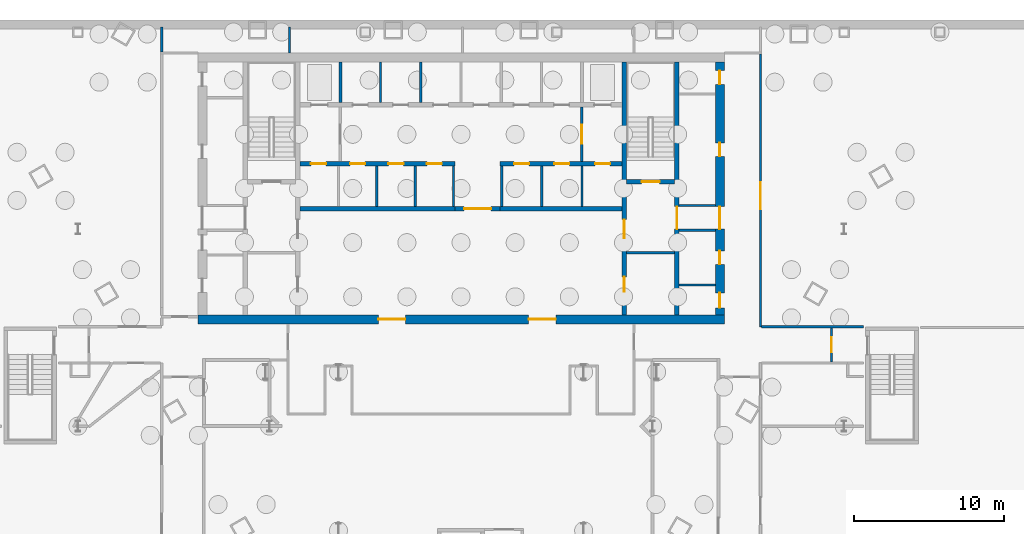
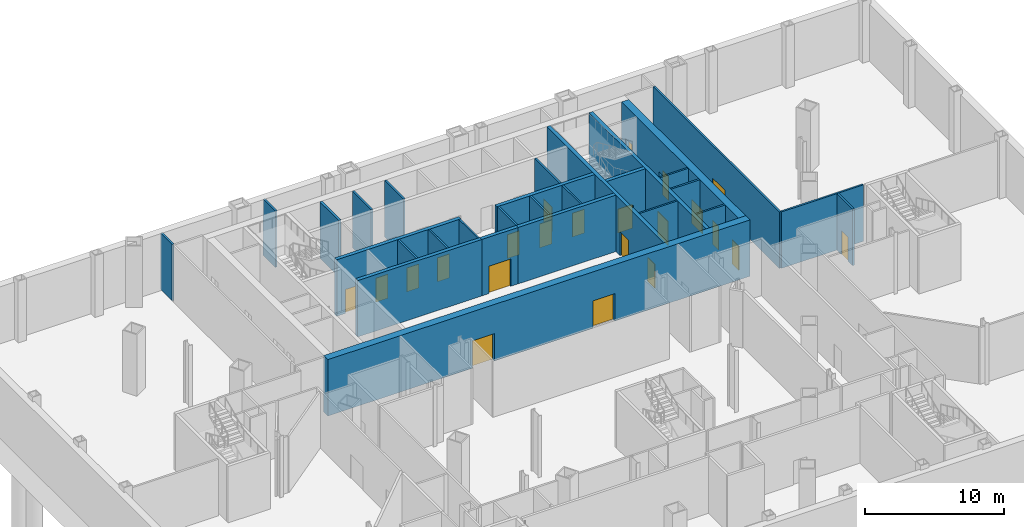
# One storey, part 10 of 19: 29 walls, 22 doors, 22 openings.
"""IFC4 building model written with IfcOpenShell, lengths in metres."""

import ifcopenshell
import ifcopenshell.guid

model = None  # the IFC model being written
_history = None  # IfcOwnerHistory: only IFC2X3 demands one
_inside = {}  # id of a spatial element -> (the spatial element, [elements in it])
_under = {}  # id of a project, library or spatial element -> (it, [spatial elements below it])
_declared = {}  # id of a project -> (the project, [libraries it declares])
_typed = {}  # id of a type object -> (the type object, [elements of that type])
_made_of = {}  # id of a material, layer set ... -> (it, [elements and type objects made of it])


def new_model(schema):
    """Start an empty IFC model of exactly this schema.

    Asked for "IFC4X3", IfcOpenShell would pick the latest addendum, in which some entities
    have other attributes; the version numbers below select the first issue.
    IFC2X3 requires an IfcOwnerHistory on every rooted entity: one is made here for all.
    """
    global model, _history
    if schema == "IFC4X3":
        model = ifcopenshell.file(schema_version=(4, 3, 0, 0))
    else:
        model = ifcopenshell.file(schema=schema)
    _inside.clear()
    _under.clear()
    _declared.clear()
    _typed.clear()
    _made_of.clear()
    _history = None
    if model.schema == "IFC2X3":
        org = make("IfcOrganization", Name="unknown")
        user = make(
            "IfcPersonAndOrganization",
            ThePerson=make("IfcPerson", FamilyName="unknown"),
            TheOrganization=org,
        )
        app = make(
            "IfcApplication",
            ApplicationDeveloper=org,
            Version="unknown",
            ApplicationFullName="unknown",
            ApplicationIdentifier="unknown",
        )
        _history = make(
            "IfcOwnerHistory",
            OwningUser=user,
            OwningApplication=app,
            ChangeAction="ADDED",
            CreationDate=0,
        )
    return model


def make(cls, **values):
    """One entity of the class cls with the attributes given. An attribute that is None is left unset."""
    return model.create_entity(
        cls, **{name: value for name, value in values.items() if value is not None}
    )


def rooted(cls, **values):
    """An entity with a GlobalId (a new one), such as an element, a storey or a relation."""
    return make(cls, GlobalId=ifcopenshell.guid.new(), OwnerHistory=_history, **values)


def si_unit(unit_type, name, prefix=None):
    """IfcSIUnit, for example si_unit("LENGTHUNIT", "METRE", prefix="MILLI")."""
    return make("IfcSIUnit", UnitType=unit_type, Prefix=prefix, Name=name)


def assignment(units):
    """IfcUnitAssignment: the units of a project."""
    return None if units is None else make("IfcUnitAssignment", Units=units)


def point(xyz):
    """IfcCartesianPoint."""
    return None if xyz is None else make("IfcCartesianPoint", Coordinates=xyz)


def direction(xyz):
    """IfcDirection."""
    return None if xyz is None else make("IfcDirection", DirectionRatios=xyz)


def frame(location, z_axis=None, x_axis=None):
    """IfcAxis2Placement3D, a coordinate frame: its origin and axes. An axis left out is left unset."""
    return make(
        "IfcAxis2Placement3D",
        Location=point(location),
        Axis=direction(z_axis),
        RefDirection=direction(x_axis),
    )


def frame_2d(location, x_axis=None):
    """IfcAxis2Placement2D, a coordinate frame in the plane: its origin and x axis."""
    return make(
        "IfcAxis2Placement2D", Location=point(location), RefDirection=direction(x_axis)
    )


def origin():
    """The frame at (0, 0, 0) with its axes left unset."""
    return frame((0.0, 0.0, 0.0))


def place(relative_to, where):
    """IfcLocalPlacement: puts the frame where relative to a parent placement (None: the world)."""
    return make(
        "IfcLocalPlacement", PlacementRelTo=relative_to, RelativePlacement=where
    )


def context(
    kind, dimensions, precision=None, world=None, true_north=None, identifier=None
):
    """IfcGeometricRepresentationContext, for example the 3D "Model" context."""
    return make(
        "IfcGeometricRepresentationContext",
        ContextIdentifier=identifier,
        ContextType=kind,
        CoordinateSpaceDimension=dimensions,
        Precision=precision,
        WorldCoordinateSystem=world,
        TrueNorth=true_north,
    )


def subcontext(parent, identifier, kind, view, scale=None):
    """IfcGeometricRepresentationSubContext, for example "Body" below "Model"."""
    return make(
        "IfcGeometricRepresentationSubContext",
        ContextIdentifier=identifier,
        ContextType=kind,
        ParentContext=parent,
        TargetScale=scale,
        TargetView=view,
    )


def project(units=None, contexts=None):
    """IfcProject with its units and contexts."""
    return rooted(
        "IfcProject",
        Name="project",
        RepresentationContexts=contexts,
        UnitsInContext=assignment(units),
    )


def spatial(cls, under=None, at=None, **own):
    """A site, building, storey or space (cls), placed at a placement, below another one or the project."""
    s = rooted(cls, ObjectPlacement=at, **own)
    if under is not None:
        _under.setdefault(under.id(), (under, []))[1].append(s)
    return s


def profile(cls, at=None, kind="AREA", **sizes):
    """A parametric profile (cls). Its sizes go by their IFC names, for example OverallWidth=200.0."""
    return make(cls, ProfileType=kind, Position=at, **sizes)


def rectangle(**sizes):
    """IfcRectangleProfileDef."""
    return profile("IfcRectangleProfileDef", **sizes)


def extrude(swept, where, along, depth):
    """IfcExtrudedAreaSolid: the profile swept, set in the frame where, extruded along a direction by depth."""
    return make(
        "IfcExtrudedAreaSolid",
        SweptArea=swept,
        Position=where,
        ExtrudedDirection=direction(along),
        Depth=depth,
    )


def shape(context_of_items, identifier, shape_type, items):
    """IfcShapeRepresentation: the items that make up one representation, for example the "Body"."""
    return make(
        "IfcShapeRepresentation",
        ContextOfItems=context_of_items,
        RepresentationIdentifier=identifier,
        RepresentationType=shape_type,
        Items=items,
    )


def material(Name=None, Category=None):
    """IfcMaterial."""
    return make("IfcMaterial", Name=Name, Category=Category)


def layer(
    of_material, thickness, ventilated=None, Name=None, Category=None, Priority=None
):
    """IfcMaterialLayer: one layer of a wall or slab, of a material (None: an air gap)."""
    return make(
        "IfcMaterialLayer",
        Material=of_material,
        LayerThickness=thickness,
        IsVentilated=ventilated,
        Name=Name,
        Category=Category,
        Priority=Priority,
    )


def layer_set(layers, Name=None):
    """IfcMaterialLayerSet."""
    return make("IfcMaterialLayerSet", MaterialLayers=layers, LayerSetName=Name)


def made_of(thing, what):
    """Note that an element or type object is made of a material, layer set ...; save() writes the relation."""
    if what is not None:
        _made_of.setdefault(what.id(), (what, []))[1].append(thing)
    return thing


def type_object(cls, material=None, **own):
    """A type object (cls), such as IfcWallType, which elements share."""
    return made_of(rooted(cls, **own), material)


def element(
    cls,
    number,
    at=None,
    inside=None,
    cuts=None,
    type_object=None,
    material=None,
    context=None,
    identifier="Body",
    shape_type=None,
    held_by="IfcProductDefinitionShape",
    body=None,
    shapes=None,
    **own,
):
    """One element of the class cls, such as IfcWall. Its Tag is "e" and its number.

    at: its placement. inside: the storey or other place that contains it. cuts: it is an
    opening in that element (IfcRelVoidsElement). A single representation is given by context,
    identifier, shape_type and body (its items); several are given by shapes. held_by: the class
    of the entity that holds the representations. save() writes the other relations.
    """
    e = rooted(cls, Tag="e%d" % number, ObjectPlacement=at, **own)
    if body is not None:
        shapes = [shape(context, identifier, shape_type, body)]
    if shapes is not None:
        e.Representation = make(held_by, Representations=shapes)
    if inside is not None:
        _inside.setdefault(inside.id(), (inside, []))[1].append(e)
    if cuts is not None:
        rooted(
            "IfcRelVoidsElement", RelatingBuildingElement=cuts, RelatedOpeningElement=e
        )
    if type_object is not None:
        _typed.setdefault(type_object.id(), (type_object, []))[1].append(e)
    return made_of(e, material)


def fill(opening, filler):
    """IfcRelFillsElement: the door or window that sits in an opening."""
    return rooted(
        "IfcRelFillsElement",
        RelatingOpeningElement=opening,
        RelatedBuildingElement=filler,
    )


def aggregate(whole, parts):
    """IfcRelAggregates: a whole, such as a stair, and the parts it consists of."""
    return rooted("IfcRelAggregates", RelatingObject=whole, RelatedObjects=parts)


def save(model, path):
    """Write the relations noted so far, then the file.

    IfcRelAggregates (storeys below a building ...), IfcRelContainedInSpatialStructure (elements
    in a storey), IfcRelDefinesByType, IfcRelAssociatesMaterial and IfcRelDeclares: one each for
    every whole, place, type object, material and project.
    """
    for whole, parts in _under.values():
        aggregate(whole, parts)
    for where, things in _inside.values():
        rooted(
            "IfcRelContainedInSpatialStructure",
            RelatedElements=things,
            RelatingStructure=where,
        )
    for kind, things in _typed.values():
        rooted("IfcRelDefinesByType", RelatedObjects=things, RelatingType=kind)
    for what, things in _made_of.values():
        rooted("IfcRelAssociatesMaterial", RelatedObjects=things, RelatingMaterial=what)
    for by, libraries in _declared.values():
        rooted("IfcRelDeclares", RelatingContext=by, RelatedDefinitions=libraries)
    model.write(path)


model = new_model("IFC4")

# Units and contexts
model_context = context("Model", 3, precision=1e-05, world=origin(), true_north=direction((0.0, 1.0)))
body_context = subcontext(model_context, "Body", "Model", "MODEL_VIEW")
ifc_project = project(units=[si_unit("LENGTHUNIT", "METRE"), si_unit("AREAUNIT", "SQUARE_METRE"), si_unit("VOLUMEUNIT", "CUBIC_METRE"), si_unit("PLANEANGLEUNIT", "RADIAN"), si_unit("MASSUNIT", "GRAM", prefix="KILO")], contexts=[model_context])

# Site, building, storey
site_placement = place(None, origin())
site = spatial("IfcSite", under=ifc_project, at=site_placement, CompositionType="ELEMENT")
building_placement = place(site_placement, origin())
building = spatial("IfcBuilding", under=site, at=building_placement, Name="Njiva Tower", CompositionType="ELEMENT")
storey_placement = place(building_placement, frame((0.0, 0.0, -16.8)))
storey = spatial("IfcBuildingStorey", under=building, at=storey_placement, Name="B3", CompositionType="ELEMENT", Elevation=-16.8)

# Walls
ifc_material_1 = material(Name="Blockwork", Category="masonry")
ifc_layer_1 = layer(ifc_material_1, 0.15)
ifc_layer_set_1 = layer_set([ifc_layer_1], Name="Blockwork")
wall_type_1 = type_object("IfcWallType", Name="WT1 Compartment partition 150", PredefinedType="PARTITIONING", material=ifc_layer_set_1)
for number, where, z_axis, x_axis, name in (
    (1, (-5.35, 14.7, 0.0), (0.0, 0.0, 1.0), (0.0, 1.0, 0.0), "Partition CN2"),
    (2, (-2.675, 14.7, 0.0), (0.0, 0.0, 1.0), (0.0, 1.0, 0.0), "Partition CN3"),
    (3, (-5.6, 7.8, 0.0), (0.0, 0.0, 1.0), (0.0, 1.0, 0.0), "Partition CS2"),
    (4, (-3.05, 7.8, 0.0), (0.0, 0.0, 1.0), (0.0, 1.0, 0.0), "Partition CS3"),
    (5, (-0.5, 7.8, 0.0), (0.0, 0.0, 1.0), (0.0, 1.0, 0.0), "Partition CS4"),
    (6, (2.7, 7.8, 0.0), (0.0, 0.0, 1.0), (0.0, 1.0, 0.0), "Partition CS5"),
    (7, (5.3667, 7.8, 0.0), (0.0, 0.0, 1.0), (0.0, 1.0, 0.0), "Partition CS6"),
    (8, (8.0333, 7.8, 0.0), (0.0, 0.0, 1.0), (0.0, 1.0, 0.0), "Partition CS7"),
):
    element("IfcWall", number, at=place(storey_placement, frame(where, z_axis=z_axis, x_axis=x_axis)), inside=storey, type_object=wall_type_1, Name=name, PredefinedType="PARTITIONING", context=body_context, shape_type="SweptSolid", body=[
        extrude(rectangle(XDim=2.7, YDim=0.15, at=frame_2d((1.35, 0.0))), origin(), (0.0, 0.0, 1.0), 4.95),
    ])
wall_1_placement = place(storey_placement, frame((11.0, 4.725, 0.0), z_axis=(0.0, 0.0, 1.0), x_axis=(1.0, 0.0, 0.0)))
element("IfcWall", 9, at=wall_1_placement, inside=storey, type_object=wall_type_1, Name="Room wall B", PredefinedType="PARTITIONING", context=body_context, shape_type="SweptSolid", body=[
    extrude(rectangle(XDim=3.2, YDim=0.15, at=frame_2d((1.6, 0.0))), origin(), (0.0, 0.0, 1.0), 4.95),
])
wall_2_placement = place(storey_placement, frame((14.5, 2.5835, 0.0), z_axis=(0.0, 0.0, 1.0), x_axis=(1.0, 0.0, 0.0)))
element("IfcWall", 10, at=wall_2_placement, inside=storey, type_object=wall_type_1, Name="Partition strip E00", PredefinedType="PARTITIONING", context=body_context, shape_type="SweptSolid", body=[
    extrude(rectangle(XDim=2.4, YDim=0.15, at=frame_2d((1.2, 0.0))), origin(), (0.0, 0.0, 1.0), 4.95),
])

# Wall, openings, doors
ifc_material_2 = material(Name="Concrete C40/50", Category="concrete")
ifc_layer_2 = layer(ifc_material_2, 0.3)
ifc_layer_set_2 = layer_set([ifc_layer_2], Name="Concrete C40/50")
wall_type_2 = type_object("IfcWallType", Name="WT10 Stair enclosure wall 300", PredefinedType="SHEAR", material=ifc_layer_set_2)
wall_3_placement = place(storey_placement, frame((10.85, 0.6, 0.0), z_axis=(0.0, 0.0, 1.0), x_axis=(0.0, 1.0, 0.0)))
wall_3 = element("IfcWall", 11, at=wall_3_placement, inside=storey, type_object=wall_type_2, Name="Stair wall east inner", PredefinedType="SHEAR", context=body_context, shape_type="SweptSolid", body=[
    extrude(rectangle(XDim=16.8, YDim=0.3, at=frame_2d((8.4, 0.0))), origin(), (0.0, 0.0, 1.0), 4.95),
])
opening_1_placement = place(wall_3_placement, frame((5.075, 0.0, 0.0)))
opening_1 = element("IfcOpeningElement", 12, at=opening_1_placement, cuts=wall_3, Name="Opening B3-D922", PredefinedType="OPENING", context=body_context, shape_type="SweptSolid", body=[
    extrude(rectangle(XDim=1.25, YDim=2.1, at=frame_2d((0.625, 1.05))), frame((0.0, 0.16, 0.0), z_axis=(0.0, -1.0, 0.0), x_axis=(1.0, 0.0, 0.0)), (0.0, 0.0, 1.0), 0.32),
])
opening_2_placement = place(wall_3_placement, frame((1.525, 0.0, 0.0)))
opening_2 = element("IfcOpeningElement", 13, at=opening_2_placement, cuts=wall_3, Name="Opening B3-D923", PredefinedType="OPENING", context=body_context, shape_type="SweptSolid", body=[
    extrude(rectangle(XDim=1.0, YDim=2.1, at=frame_2d((0.5, 1.05))), frame((0.0, 0.16, 0.0), z_axis=(0.0, -1.0, 0.0), x_axis=(1.0, 0.0, 0.0)), (0.0, 0.0, 1.0), 0.32),
])
ifc_material_3 = material(Name="Steel door, painted", Category="steel")
door_type_1 = type_object("IfcDoorType", Name="D5 Steel door 1000x2100", OperationType="SINGLE_SWING_LEFT", PredefinedType="DOOR", material=ifc_material_3)
door_1_placement = place(opening_2_placement, origin())
door_1 = element("IfcDoor", 14, at=door_1_placement, inside=storey, type_object=door_type_1, Name="Telecoms room door", OperationType="SINGLE_SWING_LEFT", OverallHeight=2.1, OverallWidth=1.0, PredefinedType="DOOR", context=body_context, shape_type="SweptSolid", body=[
    extrude(rectangle(XDim=1.0, YDim=2.1, at=frame_2d((0.5, 1.05))), frame((0.0, 0.025, 0.0), z_axis=(0.0, -1.0, 0.0), x_axis=(1.0, 0.0, 0.0)), (0.0, 0.0, 1.0), 0.05),
])
fill(opening_2, door_1)
ifc_material_4 = material(Name="Glazed steel fire door", Category="steel")
door_type_2 = type_object("IfcDoorType", Name="D8 Vestibule corridor door 1250x2100 glazed", OperationType="SINGLE_SWING_LEFT", PredefinedType="DOOR", material=ifc_material_4)
door_2_placement = place(opening_1_placement, origin())
door_2 = element("IfcDoor", 15, at=door_2_placement, inside=storey, type_object=door_type_2, Name="Stair vestibule corridor door", OperationType="SINGLE_SWING_RIGHT", OverallHeight=2.1, OverallWidth=1.25, PredefinedType="DOOR", context=body_context, shape_type="SweptSolid", body=[
    extrude(rectangle(XDim=1.25, YDim=2.1, at=frame_2d((0.625, 1.05))), frame((0.0, 0.025, 0.0), z_axis=(0.0, -1.0, 0.0), x_axis=(1.0, 0.0, 0.0)), (0.0, 0.0, 1.0), 0.05),
])
fill(opening_1, door_2)

# Wall, opening, door
wall_4_placement = place(storey_placement, frame((14.35, 0.6, 0.0), z_axis=(0.0, 0.0, 1.0), x_axis=(0.0, 1.0, 0.0)))
wall_4 = element("IfcWall", 16, at=wall_4_placement, inside=storey, type_object=wall_type_2, Name="Stair wall east outer", PredefinedType="SHEAR", context=body_context, shape_type="SweptSolid", body=[
    extrude(rectangle(XDim=16.8, YDim=0.3, at=frame_2d((8.4, 0.0))), origin(), (0.0, 0.0, 1.0), 4.95),
])
opening_3_placement = place(wall_4_placement, frame((5.7, 0.0, 0.0)))
opening_3 = element("IfcOpeningElement", 17, at=opening_3_placement, cuts=wall_4, Name="Opening B3-D930", PredefinedType="OPENING", context=body_context, shape_type="SweptSolid", body=[
    extrude(rectangle(XDim=1.5, YDim=2.1, at=frame_2d((0.75, 1.05))), frame((0.0, 0.16, 0.0), z_axis=(0.0, -1.0, 0.0), x_axis=(1.0, 0.0, 0.0)), (0.0, 0.0, 1.0), 0.32),
])
door_type_3 = type_object("IfcDoorType", Name="D10 Exit door double 1500x2100 glazed", OperationType="DOUBLE_DOOR_SINGLE_SWING", PredefinedType="DOOR", material=ifc_material_4)
door_3_placement = place(opening_3_placement, origin())
door_3 = element("IfcDoor", 18, at=door_3_placement, inside=storey, type_object=door_type_3, Name="Stair B passage door", OperationType="DOUBLE_DOOR_SINGLE_SWING", OverallHeight=2.1, OverallWidth=1.5, PredefinedType="DOOR", context=body_context, shape_type="SweptSolid", body=[
    extrude(rectangle(XDim=1.5, YDim=2.1, at=frame_2d((0.75, 1.05))), frame((0.0, 0.025, 0.0), z_axis=(0.0, -1.0, 0.0), x_axis=(1.0, 0.0, 0.0)), (0.0, 0.0, 1.0), 0.05),
])
fill(opening_3, door_3)

wall_5_placement = place(storey_placement, frame((11.0, 9.45, 0.0), z_axis=(0.0, 0.0, 1.0), x_axis=(1.0, 0.0, 0.0)))
wall_5 = element("IfcWall", 19, at=wall_5_placement, inside=storey, type_object=wall_type_2, Name="Stair B south wall", PredefinedType="SHEAR", context=body_context, shape_type="SweptSolid", body=[
    extrude(rectangle(XDim=3.2, YDim=0.3, at=frame_2d((1.6, 0.0))), origin(), (0.0, 0.0, 1.0), 4.95),
])
opening_4_placement = place(wall_5_placement, frame((1.0, 0.0, 0.0)))
opening_4 = element("IfcOpeningElement", 20, at=opening_4_placement, cuts=wall_5, Name="Opening B3-D921", PredefinedType="OPENING", context=body_context, shape_type="SweptSolid", body=[
    extrude(rectangle(XDim=1.2, YDim=2.1, at=frame_2d((0.6, 1.05))), frame((0.0, 0.16, 0.0), z_axis=(0.0, -1.0, 0.0), x_axis=(1.0, 0.0, 0.0)), (0.0, 0.0, 1.0), 0.32),
])
door_type_4 = type_object("IfcDoorType", Name="D7 Stair vestibule door 1200x2100 glazed", OperationType="SINGLE_SWING_LEFT", PredefinedType="DOOR", material=ifc_material_4)
door_4_placement = place(opening_4_placement, origin())
door_4 = element("IfcDoor", 21, at=door_4_placement, inside=storey, type_object=door_type_4, Name="Stair B door", OperationType="SINGLE_SWING_LEFT", OverallHeight=2.1, OverallWidth=1.2, PredefinedType="DOOR", context=body_context, shape_type="SweptSolid", body=[
    extrude(rectangle(XDim=1.2, YDim=2.1, at=frame_2d((0.6, 1.05))), frame((0.0, 0.025, 0.0), z_axis=(0.0, -1.0, 0.0), x_axis=(1.0, 0.0, 0.0)), (0.0, 0.0, 1.0), 0.05),
])
fill(opening_4, door_4)

# Wall, openings, doors
ifc_material_5 = material(Name="Concrete C60/75", Category="concrete")
ifc_layer_3 = layer(ifc_material_5, 0.6)
ifc_layer_set_3 = layer_set([ifc_layer_3], Name="Concrete C60/75")
wall_type_3 = type_object("IfcWallType", Name="WT15 Core wall 600", PredefinedType="SHEAR", material=ifc_layer_set_3)
wall_6_placement = place(storey_placement, frame((-17.5, 0.3, 0.0), z_axis=(0.0, 0.0, 1.0), x_axis=(1.0, 0.0, 0.0)))
wall_6 = element("IfcWall", 22, at=wall_6_placement, inside=storey, type_object=wall_type_3, Name="Core wall south", PredefinedType="SHEAR", context=body_context, shape_type="SweptSolid", body=[
    extrude(rectangle(XDim=35.0, YDim=0.6, at=frame_2d((17.5, 0.0))), origin(), (0.0, 0.0, 1.0), 4.95),
])
opening_5_placement = place(wall_6_placement, frame((12.0, 0.0, 0.0)))
opening_5 = element("IfcOpeningElement", 23, at=opening_5_placement, cuts=wall_6, Name="Opening B3-D937", PredefinedType="OPENING", context=body_context, shape_type="SweptSolid", body=[
    extrude(rectangle(XDim=1.8, YDim=2.4, at=frame_2d((0.9, 1.2))), frame((0.0, 0.31, 0.0), z_axis=(0.0, -1.0, 0.0), x_axis=(1.0, 0.0, 0.0)), (0.0, 0.0, 1.0), 0.62),
])
opening_6_placement = place(wall_6_placement, frame((22.0, 0.0, 0.0)))
opening_6 = element("IfcOpeningElement", 24, at=opening_6_placement, cuts=wall_6, Name="Opening B3-D938", PredefinedType="OPENING", context=body_context, shape_type="SweptSolid", body=[
    extrude(rectangle(XDim=1.8, YDim=2.4, at=frame_2d((0.9, 1.2))), frame((0.0, 0.31, 0.0), z_axis=(0.0, -1.0, 0.0), x_axis=(1.0, 0.0, 0.0)), (0.0, 0.0, 1.0), 0.62),
])
ifc_material_6 = material(Name="Steel and glass door", Category="steel")
door_type_5 = type_object("IfcDoorType", Name="D3 Core entrance door 1800x2400", OperationType="DOUBLE_DOOR_SINGLE_SWING", PredefinedType="DOOR", material=ifc_material_6)
door_5_placement = place(opening_5_placement, origin())
door_5 = element("IfcDoor", 25, at=door_5_placement, inside=storey, type_object=door_type_5, Name="Core entrance door", OperationType="DOUBLE_DOOR_SINGLE_SWING", OverallHeight=2.4, OverallWidth=1.8, PredefinedType="DOOR", context=body_context, shape_type="SweptSolid", body=[
    extrude(rectangle(XDim=1.8, YDim=2.4, at=frame_2d((0.9, 1.2))), frame((0.0, 0.025, 0.0), z_axis=(0.0, -1.0, 0.0), x_axis=(1.0, 0.0, 0.0)), (0.0, 0.0, 1.0), 0.05),
])
fill(opening_5, door_5)
door_6_placement = place(opening_6_placement, origin())
door_6 = element("IfcDoor", 26, at=door_6_placement, inside=storey, type_object=door_type_5, Name="Core entrance door", OperationType="DOUBLE_DOOR_SINGLE_SWING", OverallHeight=2.4, OverallWidth=1.8, PredefinedType="DOOR", context=body_context, shape_type="SweptSolid", body=[
    extrude(rectangle(XDim=1.8, YDim=2.4, at=frame_2d((0.9, 1.2))), frame((0.0, 0.025, 0.0), z_axis=(0.0, -1.0, 0.0), x_axis=(1.0, 0.0, 0.0)), (0.0, 0.0, 1.0), 0.05),
])
fill(opening_6, door_6)

wall_7_placement = place(storey_placement, frame((17.2, 0.6, 0.0), z_axis=(0.0, 0.0, 1.0), x_axis=(0.0, 1.0, 0.0)))
wall_7 = element("IfcWall", 27, at=wall_7_placement, inside=storey, type_object=wall_type_3, Name="Core wall east", PredefinedType="SHEAR", context=body_context, shape_type="SweptSolid", body=[
    extrude(rectangle(XDim=16.8, YDim=0.6, at=frame_2d((8.4, 0.0))), origin(), (0.0, 0.0, 1.0), 4.95),
])
opening_7_placement = place(wall_7_placement, frame((5.7, 0.0, 0.0)))
opening_7 = element("IfcOpeningElement", 28, at=opening_7_placement, cuts=wall_7, Name="Opening B3-D931", PredefinedType="OPENING", context=body_context, shape_type="SweptSolid", body=[
    extrude(rectangle(XDim=1.5, YDim=2.1, at=frame_2d((0.75, 1.05))), frame((0.0, 0.31, 0.0), z_axis=(0.0, -1.0, 0.0), x_axis=(1.0, 0.0, 0.0)), (0.0, 0.0, 1.0), 0.62),
])
opening_8_placement = place(wall_7_placement, frame((0.4543, 0.0, 0.0)))
opening_8 = element("IfcOpeningElement", 29, at=opening_8_placement, cuts=wall_7, Name="Opening B3-D932", PredefinedType="OPENING", context=body_context, shape_type="SweptSolid", body=[
    extrude(rectangle(XDim=1.0, YDim=2.1, at=frame_2d((0.5, 1.05))), frame((0.0, 0.31, 0.0), z_axis=(0.0, -1.0, 0.0), x_axis=(1.0, 0.0, 0.0)), (0.0, 0.0, 1.0), 0.62),
])
opening_9_placement = place(wall_7_placement, frame((3.3543, 0.0, 0.0)))
opening_9 = element("IfcOpeningElement", 30, at=opening_9_placement, cuts=wall_7, Name="Opening B3-D933", PredefinedType="OPENING", context=body_context, shape_type="SweptSolid", body=[
    extrude(rectangle(XDim=0.9, YDim=2.1, at=frame_2d((0.45, 1.05))), frame((0.0, 0.31, 0.0), z_axis=(0.0, -1.0, 0.0), x_axis=(1.0, 0.0, 0.0)), (0.0, 0.0, 1.0), 0.62),
])
opening_10_placement = place(wall_7_placement, frame((10.5266, 0.0, 0.0)))
opening_10 = element("IfcOpeningElement", 31, at=opening_10_placement, cuts=wall_7, Name="Opening B3-D934", PredefinedType="OPENING", context=body_context, shape_type="SweptSolid", body=[
    extrude(rectangle(XDim=0.9, YDim=2.1, at=frame_2d((0.45, 1.05))), frame((0.0, 0.31, 0.0), z_axis=(0.0, -1.0, 0.0), x_axis=(1.0, 0.0, 0.0)), (0.0, 0.0, 1.0), 0.62),
])
opening_11_placement = place(wall_7_placement, frame((15.3266, 0.0, 0.0)))
opening_11 = element("IfcOpeningElement", 32, at=opening_11_placement, cuts=wall_7, Name="Opening B3-D935", PredefinedType="OPENING", context=body_context, shape_type="SweptSolid", body=[
    extrude(rectangle(XDim=0.9, YDim=2.1, at=frame_2d((0.45, 1.05))), frame((0.0, 0.31, 0.0), z_axis=(0.0, -1.0, 0.0), x_axis=(1.0, 0.0, 0.0)), (0.0, 0.0, 1.0), 0.62),
])
door_7_placement = place(opening_7_placement, origin())
door_7 = element("IfcDoor", 33, at=door_7_placement, inside=storey, type_object=door_type_3, Name="Stair B corridor door", OperationType="DOUBLE_DOOR_SINGLE_SWING", OverallHeight=2.1, OverallWidth=1.5, PredefinedType="DOOR", context=body_context, shape_type="SweptSolid", body=[
    extrude(rectangle(XDim=1.5, YDim=2.1, at=frame_2d((0.75, 1.05))), frame((0.0, 0.025, 0.0), z_axis=(0.0, -1.0, 0.0), x_axis=(1.0, 0.0, 0.0)), (0.0, 0.0, 1.0), 0.05),
])
fill(opening_7, door_7)
door_type_6 = type_object("IfcDoorType", Name="D4 Riser door 900x2100", OperationType="SINGLE_SWING_LEFT", PredefinedType="DOOR", material=ifc_material_3)
door_8_placement = place(opening_11_placement, origin())
door_8 = element("IfcDoor", 34, at=door_8_placement, inside=storey, type_object=door_type_6, Name="Riser door", OperationType="SINGLE_SWING_RIGHT", OverallHeight=2.1, OverallWidth=0.9, PredefinedType="DOOR", context=body_context, shape_type="SweptSolid", body=[
    extrude(rectangle(XDim=0.9, YDim=2.1, at=frame_2d((0.45, 1.05))), frame((0.0, 0.025, 0.0), z_axis=(0.0, -1.0, 0.0), x_axis=(1.0, 0.0, 0.0)), (0.0, 0.0, 1.0), 0.05),
])
fill(opening_11, door_8)
door_9_placement = place(opening_8_placement, origin())
door_9 = element("IfcDoor", 35, at=door_9_placement, inside=storey, type_object=door_type_1, Name="Telecoms room door", OperationType="SINGLE_SWING_RIGHT", OverallHeight=2.1, OverallWidth=1.0, PredefinedType="DOOR", context=body_context, shape_type="SweptSolid", body=[
    extrude(rectangle(XDim=1.0, YDim=2.1, at=frame_2d((0.5, 1.05))), frame((0.0, 0.025, 0.0), z_axis=(0.0, -1.0, 0.0), x_axis=(1.0, 0.0, 0.0)), (0.0, 0.0, 1.0), 0.05),
])
fill(opening_8, door_9)
ifc_material_7 = material(Name="Steel fire door, painted", Category="steel")
door_type_7 = type_object("IfcDoorType", Name="D6 Fire-rated door 900x2100", OperationType="SINGLE_SWING_LEFT", PredefinedType="DOOR", material=ifc_material_7)
door_10_placement = place(opening_9_placement, origin())
door_10 = element("IfcDoor", 36, at=door_10_placement, inside=storey, type_object=door_type_7, Name="Quiet room door", OperationType="SINGLE_SWING_RIGHT", OverallHeight=2.1, OverallWidth=0.9, PredefinedType="DOOR", context=body_context, shape_type="SweptSolid", body=[
    extrude(rectangle(XDim=0.9, YDim=2.1, at=frame_2d((0.45, 1.05))), frame((0.0, 0.025, 0.0), z_axis=(0.0, -1.0, 0.0), x_axis=(1.0, 0.0, 0.0)), (0.0, 0.0, 1.0), 0.05),
])
fill(opening_9, door_10)
door_11_placement = place(opening_10_placement, origin())
door_11 = element("IfcDoor", 37, at=door_11_placement, inside=storey, type_object=door_type_7, Name="Prayer room door", OperationType="SINGLE_SWING_LEFT", OverallHeight=2.1, OverallWidth=0.9, PredefinedType="DOOR", context=body_context, shape_type="SweptSolid", body=[
    extrude(rectangle(XDim=0.9, YDim=2.1, at=frame_2d((0.45, 1.05))), frame((0.0, 0.025, 0.0), z_axis=(0.0, -1.0, 0.0), x_axis=(1.0, 0.0, 0.0)), (0.0, 0.0, 1.0), 0.05),
])
fill(opening_10, door_11)

# Wall, opening, door
ifc_layer_4 = layer(ifc_material_1, 0.15)
ifc_layer_set_4 = layer_set([ifc_layer_4], Name="Blockwork")
wall_type_4 = type_object("IfcWallType", Name="WT2 Lobby partition 150", PredefinedType="PARTITIONING", material=ifc_layer_set_4)
wall_8_placement = place(storey_placement, frame((8.025, 10.8, 0.0), z_axis=(0.0, 0.0, 1.0), x_axis=(0.0, 1.0, 0.0)))
wall_8 = element("IfcWall", 38, at=wall_8_placement, inside=storey, type_object=wall_type_4, Name="Firefighting lobby wall B", PredefinedType="PARTITIONING", context=body_context, shape_type="SweptSolid", body=[
    extrude(rectangle(XDim=3.6, YDim=0.15, at=frame_2d((1.8, 0.0))), origin(), (0.0, 0.0, 1.0), 4.95),
])
opening_12_placement = place(wall_8_placement, frame((1.175, 0.0, 0.0)))
opening_12 = element("IfcOpeningElement", 39, at=opening_12_placement, cuts=wall_8, Name="Opening B3-D920", PredefinedType="OPENING", context=body_context, shape_type="SweptSolid", body=[
    extrude(rectangle(XDim=1.25, YDim=2.1, at=frame_2d((0.625, 1.05))), frame((0.0, 0.085, 0.0), z_axis=(0.0, -1.0, 0.0), x_axis=(1.0, 0.0, 0.0)), (0.0, 0.0, 1.0), 0.17),
])
door_12_placement = place(opening_12_placement, origin())
door_12 = element("IfcDoor", 40, at=door_12_placement, inside=storey, type_object=door_type_2, Name="Stair vestibule corridor door", OperationType="SINGLE_SWING_LEFT", OverallHeight=2.1, OverallWidth=1.25, PredefinedType="DOOR", context=body_context, shape_type="SweptSolid", body=[
    extrude(rectangle(XDim=1.25, YDim=2.1, at=frame_2d((0.625, 1.05))), frame((0.0, 0.025, 0.0), z_axis=(0.0, -1.0, 0.0), x_axis=(1.0, 0.0, 0.0)), (0.0, 0.0, 1.0), 0.05),
])
fill(opening_12, door_12)

ifc_material_8 = material(Name="Gypsum board on steel studs", Category="gypsum")
ifc_layer_5 = layer(ifc_material_8, 0.15)
ifc_layer_set_5 = layer_set([ifc_layer_5], Name="Gypsum board on steel studs")
wall_type_5 = type_object("IfcWallType", Name="WT21 Compartment wall 150", PredefinedType="PARTITIONING", material=ifc_layer_set_5)
wall_9_placement = place(storey_placement, frame((19.9, -0.197, 0.0), z_axis=(0.0, 0.0, 1.0), x_axis=(0.0, 1.0, 0.0)))
wall_9 = element("IfcWall", 41, at=wall_9_placement, inside=storey, type_object=wall_type_5, Name="Partition B3-P104", PredefinedType="PARTITIONING", context=body_context, shape_type="SweptSolid", body=[
    extrude(rectangle(XDim=18.122, YDim=0.15, at=frame_2d((9.061, 0.0))), origin(), (0.0, 0.0, 1.0), 4.95),
])
opening_13_placement = place(wall_9_placement, frame((7.811, 0.0, 0.0)))
opening_13 = element("IfcOpeningElement", 42, at=opening_13_placement, cuts=wall_9, Name="Opening B3-D032", PredefinedType="OPENING", context=body_context, shape_type="SweptSolid", body=[
    extrude(rectangle(XDim=1.8, YDim=2.1, at=frame_2d((0.9, 1.05))), frame((0.0, 0.085, 0.0), z_axis=(0.0, -1.0, 0.0), x_axis=(1.0, 0.0, 0.0)), (0.0, 0.0, 1.0), 0.17),
])
ifc_material_9 = material(Name="Steel fire door set", Category="steel")
door_type_8 = type_object("IfcDoorType", Name="D38 Fire door 1800x2100", OperationType="DOUBLE_DOOR_SINGLE_SWING", PredefinedType="DOOR", material=ifc_material_9)
door_13_placement = place(opening_13_placement, origin())
door_13 = element("IfcDoor", 43, at=door_13_placement, inside=storey, type_object=door_type_8, Name="Door B3-D032", OperationType="DOUBLE_DOOR_SINGLE_SWING", OverallHeight=2.1, OverallWidth=1.8, PredefinedType="DOOR", context=body_context, shape_type="SweptSolid", body=[
    extrude(rectangle(XDim=1.8, YDim=2.1, at=frame_2d((0.9, 1.05))), frame((0.0, 0.025, 0.0), z_axis=(0.0, -1.0, 0.0), x_axis=(1.0, 0.0, 0.0)), (0.0, 0.0, 1.0), 0.05),
])
fill(opening_13, door_13)

# Wall
wall_10_placement = place(storey_placement, frame((19.975, -0.2, 0.0), z_axis=(0.0, 0.0, 1.0), x_axis=(1.0, 0.0, 0.0)))
element("IfcWall", 44, at=wall_10_placement, inside=storey, type_object=wall_type_5, Name="Partition B3-P108", PredefinedType="PARTITIONING", context=body_context, shape_type="SweptSolid", body=[
    extrude(rectangle(XDim=6.775, YDim=0.15, at=frame_2d((3.3875, 0.0))), origin(), (0.0, 0.0, 1.0), 4.95),
])

# Wall, opening, door
wall_11_placement = place(storey_placement, frame((24.625, -2.525, 0.0), z_axis=(0.0, 0.0, 1.0), x_axis=(0.0, 1.0, 0.0)))
wall_11 = element("IfcWall", 45, at=wall_11_placement, inside=storey, type_object=wall_type_5, Name="Partition B3-P110", PredefinedType="PARTITIONING", context=body_context, shape_type="SweptSolid", body=[
    extrude(rectangle(XDim=2.25, YDim=0.15, at=frame_2d((1.125, 0.0))), origin(), (0.0, 0.0, 1.0), 4.95),
])
opening_14_placement = place(wall_11_placement, frame((0.625, 0.0, 0.0)))
opening_14 = element("IfcOpeningElement", 46, at=opening_14_placement, cuts=wall_11, Name="Opening B3-D033", PredefinedType="OPENING", context=body_context, shape_type="SweptSolid", body=[
    extrude(rectangle(XDim=1.0, YDim=2.1, at=frame_2d((0.5, 1.05))), frame((0.0, 0.085, 0.0), z_axis=(0.0, -1.0, 0.0), x_axis=(1.0, 0.0, 0.0)), (0.0, 0.0, 1.0), 0.17),
])
door_type_9 = type_object("IfcDoorType", Name="D41 Glazed fire door 1000x2100", OperationType="SINGLE_SWING_LEFT", PredefinedType="DOOR", material=ifc_material_4)
door_14_placement = place(opening_14_placement, origin())
door_14 = element("IfcDoor", 47, at=door_14_placement, inside=storey, type_object=door_type_9, Name="Door B3-D033", OperationType="SINGLE_SWING_LEFT", OverallHeight=2.1, OverallWidth=1.0, PredefinedType="DOOR", context=body_context, shape_type="SweptSolid", body=[
    extrude(rectangle(XDim=1.0, YDim=2.1, at=frame_2d((0.5, 1.05))), frame((0.0, 0.025, 0.0), z_axis=(0.0, -1.0, 0.0), x_axis=(1.0, 0.0, 0.0)), (0.0, 0.0, 1.0), 0.05),
])
fill(opening_14, door_14)

# Walls
ifc_layer_6 = layer(ifc_material_8, 0.15)
ifc_layer_set_6 = layer_set([ifc_layer_6], Name="Gypsum board on steel studs")
wall_type_6 = type_object("IfcWallType", Name="WT24 Riser room wall 150", PredefinedType="PARTITIONING", material=ifc_layer_set_6)
wall_12_placement = place(storey_placement, frame((-19.9, 18.075, 0.0), z_axis=(0.0, 0.0, 1.0), x_axis=(0.0, 1.0, 0.0)))
element("IfcWall", 48, at=wall_12_placement, inside=storey, type_object=wall_type_6, Name="Partition B3-P027", PredefinedType="PARTITIONING", context=body_context, shape_type="SweptSolid", body=[
    extrude(rectangle(XDim=1.675, YDim=0.15, at=frame_2d((0.8375, 0.0))), origin(), (0.0, 0.0, 1.0), 4.95),
])
wall_13_placement = place(storey_placement, frame((-11.4, 18.0, 0.0), z_axis=(0.0, 0.0, 1.0), x_axis=(0.0, 1.0, 0.0)))
element("IfcWall", 49, at=wall_13_placement, inside=storey, type_object=wall_type_6, Name="Partition B3-P054", PredefinedType="PARTITIONING", context=body_context, shape_type="SweptSolid", body=[
    extrude(rectangle(XDim=1.75, YDim=0.15, at=frame_2d((0.875, 0.0))), origin(), (0.0, 0.0, 1.0), 4.95),
])
ifc_layer_7 = layer(ifc_material_1, 0.15)
ifc_layer_set_7 = layer_set([ifc_layer_7], Name="Blockwork")
wall_type_7 = type_object("IfcWallType", Name="WT4 Stair partition 150", PredefinedType="PARTITIONING", material=ifc_layer_set_7)
for number, where, z_axis, x_axis, name in (
    (50, (14.5, 6.225, 0.0), (0.0, 0.0, 1.0), (1.0, 0.0, 0.0), "Stair B exit passage wall south"),
    (51, (14.5, 7.875, 0.0), (0.0, 0.0, 1.0), (1.0, 0.0, 0.0), "Stair B exit passage wall north"),
):
    element("IfcWall", number, at=place(storey_placement, frame(where, z_axis=z_axis, x_axis=x_axis)), inside=storey, type_object=wall_type_7, Name=name, PredefinedType="PARTITIONING", context=body_context, shape_type="SweptSolid", body=[
        extrude(rectangle(XDim=2.4, YDim=0.15, at=frame_2d((1.2, 0.0))), origin(), (0.0, 0.0, 1.0), 4.95),
    ])

# Wall, opening, door
ifc_layer_8 = layer(ifc_material_1, 0.3)
ifc_layer_set_8 = layer_set([ifc_layer_8], Name="Blockwork")
wall_type_8 = type_object("IfcWallType", Name="WT5 Lobby partition 300", PredefinedType="PARTITIONING", material=ifc_layer_set_8)
wall_14_placement = place(storey_placement, frame((-0.4, 7.65, 0.0), z_axis=(0.0, 0.0, 1.0), x_axis=(1.0, 0.0, 0.0)))
wall_14 = element("IfcWall", 52, at=wall_14_placement, inside=storey, type_object=wall_type_8, Name="Lift lobby screen wall", PredefinedType="PARTITIONING", context=body_context, shape_type="SweptSolid", body=[
    extrude(rectangle(XDim=3.0, YDim=0.3, at=frame_2d((1.5, 0.0))), origin(), (0.0, 0.0, 1.0), 4.95),
])
opening_15_placement = place(wall_14_placement, frame((0.6, 0.0, 0.0)))
opening_15 = element("IfcOpeningElement", 53, at=opening_15_placement, cuts=wall_14, Name="Opening B3-D936", PredefinedType="OPENING", context=body_context, shape_type="SweptSolid", body=[
    extrude(rectangle(XDim=1.8, YDim=2.4, at=frame_2d((0.9, 1.2))), frame((0.0, 0.16, 0.0), z_axis=(0.0, -1.0, 0.0), x_axis=(1.0, 0.0, 0.0)), (0.0, 0.0, 1.0), 0.32),
])
door_15_placement = place(opening_15_placement, origin())
door_15 = element("IfcDoor", 54, at=door_15_placement, inside=storey, type_object=door_type_5, Name="Core entrance door", OperationType="DOUBLE_DOOR_SINGLE_SWING", OverallHeight=2.4, OverallWidth=1.8, PredefinedType="DOOR", context=body_context, shape_type="SweptSolid", body=[
    extrude(rectangle(XDim=1.8, YDim=2.4, at=frame_2d((0.9, 1.2))), frame((0.0, 0.025, 0.0), z_axis=(0.0, -1.0, 0.0), x_axis=(1.0, 0.0, 0.0)), (0.0, 0.0, 1.0), 0.05),
])
fill(opening_15, door_15)

# Wall
ifc_layer_9 = layer(ifc_material_2, 0.2)
ifc_layer_set_9 = layer_set([ifc_layer_9], Name="Concrete C40/50")
wall_type_9 = type_object("IfcWallType", Name="WT6 Lift shaft wall 200", PredefinedType="SHEAR", material=ifc_layer_set_9)
wall_15_placement = place(storey_placement, frame((-8.025, 14.7, 0.0), z_axis=(0.0, 0.0, 1.0), x_axis=(0.0, 1.0, 0.0)))
element("IfcWall", 55, at=wall_15_placement, inside=storey, type_object=wall_type_9, Name="Shaft wall CN1", PredefinedType="SHEAR", context=body_context, shape_type="SweptSolid", body=[
    extrude(rectangle(XDim=2.7, YDim=0.2, at=frame_2d((1.35, 0.0))), origin(), (0.0, 0.0, 1.0), 4.95),
])

# Wall, openings, doors
ifc_layer_10 = layer(ifc_material_2, 0.3)
ifc_layer_set_10 = layer_set([ifc_layer_10], Name="Concrete C40/50")
wall_type_10 = type_object("IfcWallType", Name="WT7 Lift shaft wall 300", PredefinedType="SHEAR", material=ifc_layer_set_10)
wall_16_placement = place(storey_placement, frame((-10.7, 10.65, 0.0), z_axis=(0.0, 0.0, 1.0), x_axis=(1.0, 0.0, 0.0)))
wall_16 = element("IfcWall", 56, at=wall_16_placement, inside=storey, type_object=wall_type_10, Name="Shaft wall south row lobby side W", PredefinedType="SHEAR", context=body_context, shape_type="SweptSolid", body=[
    extrude(rectangle(XDim=10.3, YDim=0.3, at=frame_2d((5.15, 0.0))), origin(), (0.0, 0.0, 1.0), 4.95),
])
opening_16_placement = place(wall_16_placement, frame((0.725, 0.0, 0.0)))
opening_16 = element("IfcOpeningElement", 57, at=opening_16_placement, cuts=wall_16, Name="Opening B3-D909", PredefinedType="OPENING", context=body_context, shape_type="SweptSolid", body=[
    extrude(rectangle(XDim=1.0, YDim=2.1, at=frame_2d((0.5, 1.05))), frame((0.0, 0.16, 0.0), z_axis=(0.0, -1.0, 0.0), x_axis=(1.0, 0.0, 0.0)), (0.0, 0.0, 1.0), 0.32),
])
opening_17_placement = place(wall_16_placement, frame((3.325, 0.0, 0.0)))
opening_17 = element("IfcOpeningElement", 58, at=opening_17_placement, cuts=wall_16, Name="Opening B3-D910", PredefinedType="OPENING", context=body_context, shape_type="SweptSolid", body=[
    extrude(rectangle(XDim=1.0, YDim=2.1, at=frame_2d((0.5, 1.05))), frame((0.0, 0.16, 0.0), z_axis=(0.0, -1.0, 0.0), x_axis=(1.0, 0.0, 0.0)), (0.0, 0.0, 1.0), 0.32),
])
opening_18_placement = place(wall_16_placement, frame((5.875, 0.0, 0.0)))
opening_18 = element("IfcOpeningElement", 59, at=opening_18_placement, cuts=wall_16, Name="Opening B3-D911", PredefinedType="OPENING", context=body_context, shape_type="SweptSolid", body=[
    extrude(rectangle(XDim=1.0, YDim=2.1, at=frame_2d((0.5, 1.05))), frame((0.0, 0.16, 0.0), z_axis=(0.0, -1.0, 0.0), x_axis=(1.0, 0.0, 0.0)), (0.0, 0.0, 1.0), 0.32),
])
opening_19_placement = place(wall_16_placement, frame((8.425, 0.0, 0.0)))
opening_19 = element("IfcOpeningElement", 60, at=opening_19_placement, cuts=wall_16, Name="Opening B3-D912", PredefinedType="OPENING", context=body_context, shape_type="SweptSolid", body=[
    extrude(rectangle(XDim=1.0, YDim=2.1, at=frame_2d((0.5, 1.05))), frame((0.0, 0.16, 0.0), z_axis=(0.0, -1.0, 0.0), x_axis=(1.0, 0.0, 0.0)), (0.0, 0.0, 1.0), 0.32),
])
door_16_placement = place(opening_16_placement, origin())
door_16 = element("IfcDoor", 61, at=door_16_placement, inside=storey, type_object=door_type_1, Name="Store room door", OperationType="SINGLE_SWING_LEFT", OverallHeight=2.1, OverallWidth=1.0, PredefinedType="DOOR", context=body_context, shape_type="SweptSolid", body=[
    extrude(rectangle(XDim=1.0, YDim=2.1, at=frame_2d((0.5, 1.05))), frame((0.0, 0.025, 0.0), z_axis=(0.0, -1.0, 0.0), x_axis=(1.0, 0.0, 0.0)), (0.0, 0.0, 1.0), 0.05),
])
fill(opening_16, door_16)
door_17_placement = place(opening_17_placement, origin())
door_17 = element("IfcDoor", 62, at=door_17_placement, inside=storey, type_object=door_type_1, Name="Electrical room door", OperationType="SINGLE_SWING_LEFT", OverallHeight=2.1, OverallWidth=1.0, PredefinedType="DOOR", context=body_context, shape_type="SweptSolid", body=[
    extrude(rectangle(XDim=1.0, YDim=2.1, at=frame_2d((0.5, 1.05))), frame((0.0, 0.025, 0.0), z_axis=(0.0, -1.0, 0.0), x_axis=(1.0, 0.0, 0.0)), (0.0, 0.0, 1.0), 0.05),
])
fill(opening_17, door_17)
door_18_placement = place(opening_18_placement, origin())
door_18 = element("IfcDoor", 63, at=door_18_placement, inside=storey, type_object=door_type_1, Name="Telecoms room door", OperationType="SINGLE_SWING_RIGHT", OverallHeight=2.1, OverallWidth=1.0, PredefinedType="DOOR", context=body_context, shape_type="SweptSolid", body=[
    extrude(rectangle(XDim=1.0, YDim=2.1, at=frame_2d((0.5, 1.05))), frame((0.0, 0.025, 0.0), z_axis=(0.0, -1.0, 0.0), x_axis=(1.0, 0.0, 0.0)), (0.0, 0.0, 1.0), 0.05),
])
fill(opening_18, door_18)
door_19_placement = place(opening_19_placement, origin())
door_19 = element("IfcDoor", 64, at=door_19_placement, inside=storey, type_object=door_type_1, Name="Mechanical room door", OperationType="SINGLE_SWING_RIGHT", OverallHeight=2.1, OverallWidth=1.0, PredefinedType="DOOR", context=body_context, shape_type="SweptSolid", body=[
    extrude(rectangle(XDim=1.0, YDim=2.1, at=frame_2d((0.5, 1.05))), frame((0.0, 0.025, 0.0), z_axis=(0.0, -1.0, 0.0), x_axis=(1.0, 0.0, 0.0)), (0.0, 0.0, 1.0), 0.05),
])
fill(opening_19, door_19)

# Wall
wall_17_placement = place(storey_placement, frame((-10.7, 7.65, 0.0), z_axis=(0.0, 0.0, 1.0), x_axis=(1.0, 0.0, 0.0)))
element("IfcWall", 65, at=wall_17_placement, inside=storey, type_object=wall_type_10, Name="Shaft wall south row back W", PredefinedType="SHEAR", context=body_context, shape_type="SweptSolid", body=[
    extrude(rectangle(XDim=10.3, YDim=0.3, at=frame_2d((5.15, 0.0))), origin(), (0.0, 0.0, 1.0), 4.95),
])

# Wall, openings, doors
wall_18_placement = place(storey_placement, frame((2.6, 10.65, 0.0), z_axis=(0.0, 0.0, 1.0), x_axis=(1.0, 0.0, 0.0)))
wall_18 = element("IfcWall", 66, at=wall_18_placement, inside=storey, type_object=wall_type_10, Name="Shaft wall south row lobby side E", PredefinedType="SHEAR", context=body_context, shape_type="SweptSolid", body=[
    extrude(rectangle(XDim=8.1, YDim=0.3, at=frame_2d((4.05, 0.0))), origin(), (0.0, 0.0, 1.0), 4.95),
])
opening_20_placement = place(wall_18_placement, frame((0.9334, 0.0, 0.0)))
opening_20 = element("IfcOpeningElement", 67, at=opening_20_placement, cuts=wall_18, Name="Opening B3-D913", PredefinedType="OPENING", context=body_context, shape_type="SweptSolid", body=[
    extrude(rectangle(XDim=1.0, YDim=2.1, at=frame_2d((0.5, 1.05))), frame((0.0, 0.16, 0.0), z_axis=(0.0, -1.0, 0.0), x_axis=(1.0, 0.0, 0.0)), (0.0, 0.0, 1.0), 0.32),
])
opening_21_placement = place(wall_18_placement, frame((3.6, 0.0, 0.0)))
opening_21 = element("IfcOpeningElement", 68, at=opening_21_placement, cuts=wall_18, Name="Opening B3-D914", PredefinedType="OPENING", context=body_context, shape_type="SweptSolid", body=[
    extrude(rectangle(XDim=1.0, YDim=2.1, at=frame_2d((0.5, 1.05))), frame((0.0, 0.16, 0.0), z_axis=(0.0, -1.0, 0.0), x_axis=(1.0, 0.0, 0.0)), (0.0, 0.0, 1.0), 0.32),
])
opening_22_placement = place(wall_18_placement, frame((6.3167, 0.0, 0.0)))
opening_22 = element("IfcOpeningElement", 69, at=opening_22_placement, cuts=wall_18, Name="Opening B3-D915", PredefinedType="OPENING", context=body_context, shape_type="SweptSolid", body=[
    extrude(rectangle(XDim=1.0, YDim=2.1, at=frame_2d((0.5, 1.05))), frame((0.0, 0.16, 0.0), z_axis=(0.0, -1.0, 0.0), x_axis=(1.0, 0.0, 0.0)), (0.0, 0.0, 1.0), 0.32),
])
door_20_placement = place(opening_20_placement, origin())
door_20 = element("IfcDoor", 70, at=door_20_placement, inside=storey, type_object=door_type_1, Name="Pump room door", OperationType="SINGLE_SWING_LEFT", OverallHeight=2.1, OverallWidth=1.0, PredefinedType="DOOR", context=body_context, shape_type="SweptSolid", body=[
    extrude(rectangle(XDim=1.0, YDim=2.1, at=frame_2d((0.5, 1.05))), frame((0.0, 0.025, 0.0), z_axis=(0.0, -1.0, 0.0), x_axis=(1.0, 0.0, 0.0)), (0.0, 0.0, 1.0), 0.05),
])
fill(opening_20, door_20)
door_21_placement = place(opening_21_placement, origin())
door_21 = element("IfcDoor", 71, at=door_21_placement, inside=storey, type_object=door_type_1, Name="Ventilation plant room door", OperationType="SINGLE_SWING_RIGHT", OverallHeight=2.1, OverallWidth=1.0, PredefinedType="DOOR", context=body_context, shape_type="SweptSolid", body=[
    extrude(rectangle(XDim=1.0, YDim=2.1, at=frame_2d((0.5, 1.05))), frame((0.0, 0.025, 0.0), z_axis=(0.0, -1.0, 0.0), x_axis=(1.0, 0.0, 0.0)), (0.0, 0.0, 1.0), 0.05),
])
fill(opening_21, door_21)
door_22_placement = place(opening_22_placement, origin())
door_22 = element("IfcDoor", 72, at=door_22_placement, inside=storey, type_object=door_type_1, Name="Cleaner's store door", OperationType="SINGLE_SWING_RIGHT", OverallHeight=2.1, OverallWidth=1.0, PredefinedType="DOOR", context=body_context, shape_type="SweptSolid", body=[
    extrude(rectangle(XDim=1.0, YDim=2.1, at=frame_2d((0.5, 1.05))), frame((0.0, 0.025, 0.0), z_axis=(0.0, -1.0, 0.0), x_axis=(1.0, 0.0, 0.0)), (0.0, 0.0, 1.0), 0.05),
])
fill(opening_22, door_22)

# Wall
wall_19_placement = place(storey_placement, frame((2.6, 7.65, 0.0), z_axis=(0.0, 0.0, 1.0), x_axis=(1.0, 0.0, 0.0)))
element("IfcWall", 73, at=wall_19_placement, inside=storey, type_object=wall_type_10, Name="Shaft wall south row back E", PredefinedType="SHEAR", context=body_context, shape_type="SweptSolid", body=[
    extrude(rectangle(XDim=8.1, YDim=0.3, at=frame_2d((4.05, 0.0))), origin(), (0.0, 0.0, 1.0), 4.95),
])

save(model, "model.ifc")
